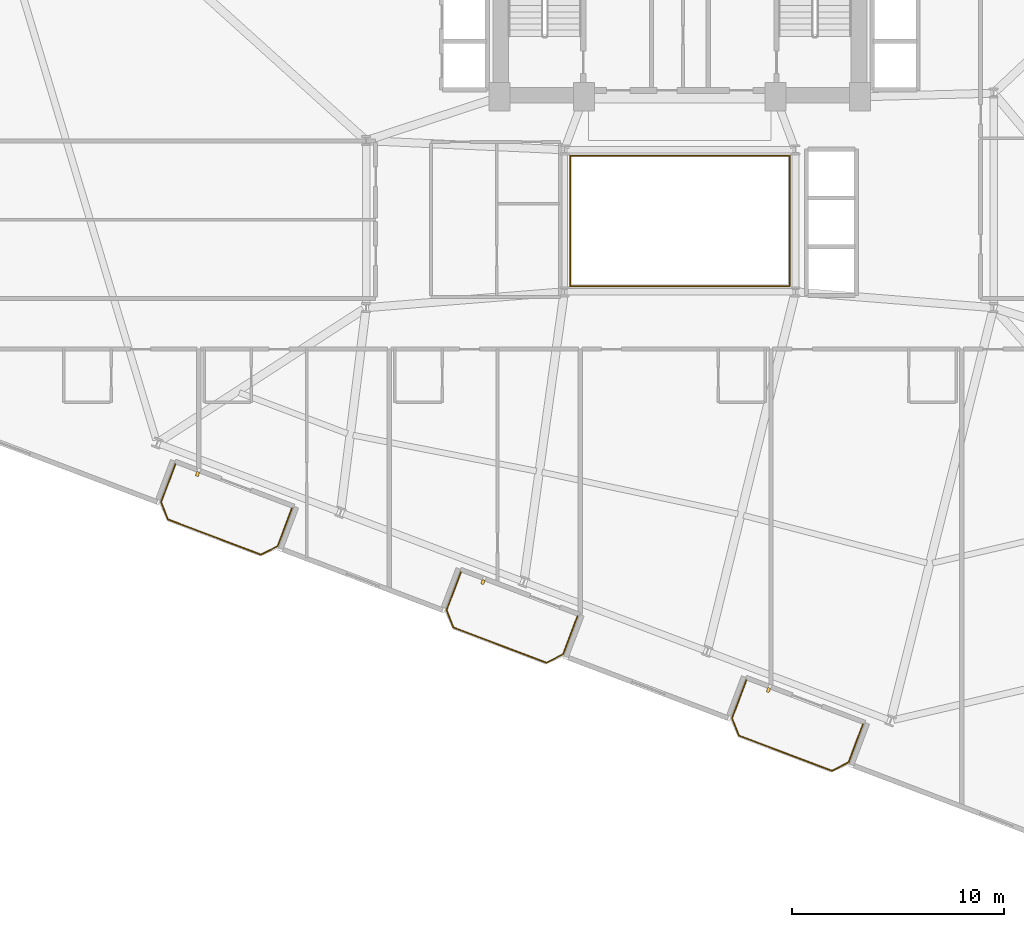
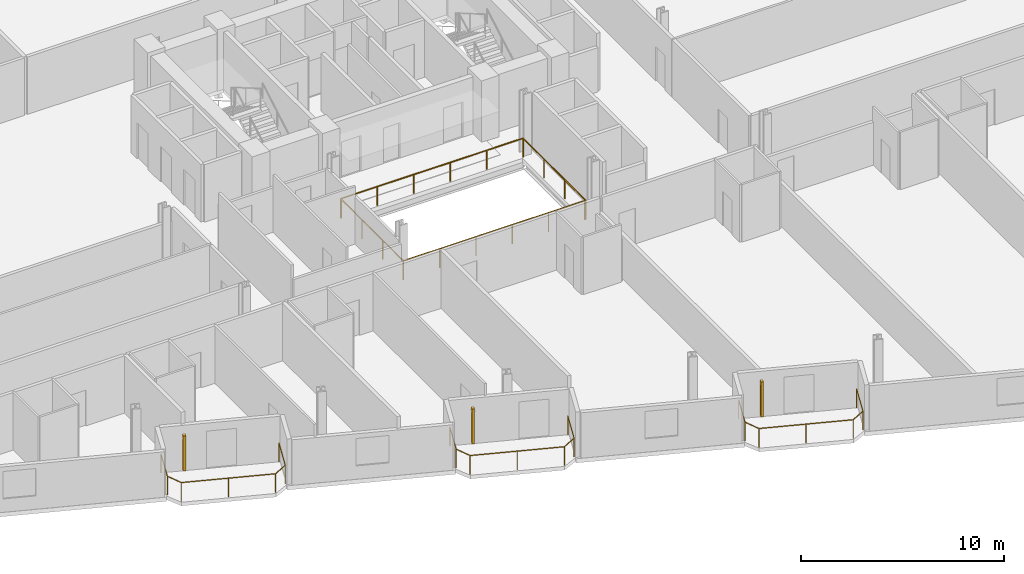
# One storey, part 23 of 25: 5 railings, 3 shading devices.
"""IFC4 building model written with IfcOpenShell, lengths in metres."""

from ifc_helpers import new_model, si_unit, direction, frame, origin, origin_2d, place, context, subcontext, project, spatial, rectangle, circle, extrude, source, transform, mapped, material, type_object, element, save


model = new_model("IFC4")

# Units and contexts
model_context = context("Model", 3, precision=1e-05, world=origin(), true_north=direction((0.0, 1.0)))
body_context = subcontext(model_context, "Body", "Model", "MODEL_VIEW")
ifc_project = project(units=[si_unit("LENGTHUNIT", "METRE"), si_unit("AREAUNIT", "SQUARE_METRE"), si_unit("VOLUMEUNIT", "CUBIC_METRE"), si_unit("PLANEANGLEUNIT", "RADIAN"), si_unit("MASSUNIT", "GRAM", prefix="KILO")], contexts=[model_context])

# Site, building, storey
site_placement = place(None, origin())
site = spatial("IfcSite", under=ifc_project, at=site_placement, CompositionType="ELEMENT")
building_placement = place(site_placement, origin())
building = spatial("IfcBuilding", under=site, at=building_placement, Name="Varnelok Gate Tower", CompositionType="ELEMENT")
storey_placement = place(building_placement, frame((0.0, 0.0, 76.199951171875)))
storey = spatial("IfcBuildingStorey", under=building, at=storey_placement, Name="L18", CompositionType="ELEMENT", Elevation=76.199951171875)

# Railings
ifc_material_1 = material(Name="Tempered Laminated Balustrade Glass", Category="glass")
railing_type_1 = type_object("IfcRailingType", Name="RL-ATR-GUARD1150", PredefinedType="GUARDRAIL", material=ifc_material_1)
railing_1_placement = place(storey_placement, frame((34.02001953125, 25.929931640625, 0.0)))
element("IfcRailing", 1, at=railing_1_placement, inside=storey, type_object=railing_type_1, Name="L18 Internal Atrium South-West Guardrail", PredefinedType="GUARDRAIL", context=body_context, shape_type="SweptSolid", body=[
    extrude(circle(Radius=0.02392578125, at=origin_2d()), frame((0.0, 0.0, 1.1259765625), z_axis=(0.0, -1.0, 0.0), x_axis=(1.0, 0.0, 0.0)), (0.0, 0.0, 1.0), 6.10986328125),
    extrude(circle(Radius=0.02392578125, at=origin_2d()), frame((0.0, -6.10986328125, 1.1259765625), z_axis=(1.0, 0.0, 0.0), x_axis=(0.0, 1.0, 0.0)), (0.0, 0.0, 1.0), 10.31005859375),
    extrude(circle(Radius=0.02099609375, at=origin_2d()), origin(), (0.0, 0.0, 1.0), 1.101806640625),
    extrude(circle(Radius=0.02099609375, at=origin_2d()), frame((0.0, -2.03662109375, 0.0)), (0.0, 0.0, 1.0), 1.101806640625),
    extrude(circle(Radius=0.02099609375, at=origin_2d()), frame((0.0, -4.0732421875, 0.0)), (0.0, 0.0, 1.0), 1.101806640625),
    extrude(circle(Radius=0.02099609375, at=origin_2d()), frame((0.0, -6.10986328125, 0.0)), (0.0, 0.0, 1.0), 1.101806640625),
    extrude(circle(Radius=0.02099609375, at=origin_2d()), frame((2.06201171875, -6.10986328125, 0.0)), (0.0, 0.0, 1.0), 1.101806640625),
    extrude(circle(Radius=0.02099609375, at=origin_2d()), frame((4.1240234375, -6.10986328125, 0.0)), (0.0, 0.0, 1.0), 1.101806640625),
    extrude(circle(Radius=0.02099609375, at=origin_2d()), frame((6.18603515625, -6.10986328125, 0.0)), (0.0, 0.0, 1.0), 1.101806640625),
    extrude(circle(Radius=0.02099609375, at=origin_2d()), frame((8.248046875, -6.10986328125, 0.0)), (0.0, 0.0, 1.0), 1.101806640625),
    extrude(circle(Radius=0.02099609375, at=origin_2d()), frame((10.31005859375, -6.10986328125, 0.0)), (0.0, 0.0, 1.0), 1.101806640625),
])
railing_2_placement = place(storey_placement, frame((44.3798828125, 19.820068359375, 0.0)))
element("IfcRailing", 2, at=railing_2_placement, inside=storey, type_object=railing_type_1, Name="L18 Internal Atrium North-East Guardrail", PredefinedType="GUARDRAIL", context=body_context, shape_type="SweptSolid", body=[
    extrude(circle(Radius=0.02392578125, at=origin_2d()), frame((0.0, 0.0, 1.1259765625), z_axis=(0.0, 1.0, 0.0), x_axis=(-1.0, 0.0, 0.0)), (0.0, 0.0, 1.0), 6.159912109375),
    extrude(circle(Radius=0.02392578125, at=origin_2d()), frame((0.0, 6.159912109375, 1.1259765625), z_axis=(-1.0, 0.0, 0.0), x_axis=(0.0, -1.0, 0.0)), (0.0, 0.0, 1.0), 10.35986328125),
    extrude(circle(Radius=0.02099609375, at=origin_2d()), origin(), (0.0, 0.0, 1.0), 1.101806640625),
    extrude(circle(Radius=0.02099609375, at=origin_2d()), frame((0.0, 2.05322265625, 0.0)), (0.0, 0.0, 1.0), 1.101806640625),
    extrude(circle(Radius=0.02099609375, at=origin_2d()), frame((0.0, 4.106689453125, 0.0)), (0.0, 0.0, 1.0), 1.101806640625),
    extrude(circle(Radius=0.02099609375, at=origin_2d()), frame((0.0, 6.159912109375, 0.0)), (0.0, 0.0, 1.0), 1.101806640625),
    extrude(circle(Radius=0.02099609375, at=origin_2d()), frame((-2.072021484375, 6.159912109375, 0.0)), (0.0, 0.0, 1.0), 1.101806640625),
    extrude(circle(Radius=0.02099609375, at=origin_2d()), frame((-4.14404296875, 6.159912109375, 0.0)), (0.0, 0.0, 1.0), 1.101806640625),
    extrude(circle(Radius=0.02099609375, at=origin_2d()), frame((-6.2158203125, 6.159912109375, 0.0)), (0.0, 0.0, 1.0), 1.101806640625),
    extrude(circle(Radius=0.02099609375, at=origin_2d()), frame((-8.287841796875, 6.159912109375, 0.0)), (0.0, 0.0, 1.0), 1.101806640625),
    extrude(circle(Radius=0.02099609375, at=origin_2d()), frame((-10.35986328125, 6.159912109375, 0.0)), (0.0, 0.0, 1.0), 1.101806640625),
])
ifc_material_2 = material(Name="Low-E Laminated Double Glazing IGU", Category="glass")
railing_type_2 = type_object("IfcRailingType", Name="RL-BALC-1150", PredefinedType="BALUSTRADE", material=ifc_material_2)
railing_3_placement = place(storey_placement, frame((15.40625, 11.42578125, 0.0)))
element("IfcRailing", 3, at=railing_3_placement, inside=storey, type_object=railing_type_2, Name="L18 South Terrace Balustrade 1", PredefinedType="BALUSTRADE", context=body_context, shape_type="SweptSolid", body=[
    extrude(circle(Radius=0.02392578125, at=origin_2d()), frame((0.0, 0.0, 1.1259765625), z_axis=(-0.354006333352, -0.935243025073, 0.0), x_axis=(0.935243025073, -0.354006333352, 0.0)), (0.0, 0.0, 1.0), 1.919921875),
    extrude(circle(Radius=0.02392578125, at=origin_2d()), frame((-0.6796875, -1.795654296875, 1.1259765625), z_axis=(0.366254584666, -0.930514685113, 0.0), x_axis=(0.930514685113, 0.366254584666, 0.0)), (0.0, 0.0, 1.0), 0.8779296875),
    extrude(circle(Radius=0.02392578125, at=origin_2d()), frame((-0.358154296875, -2.612548828125, 1.1259765625), z_axis=(0.935223045203, -0.354059113314, 0.0), x_axis=(0.354059113314, 0.935223045203, 0.0)), (0.0, 0.0, 1.0), 4.699951171875),
    extrude(circle(Radius=0.02392578125, at=origin_2d()), frame((4.037353515625, -4.276611328125, 1.1259765625), z_axis=(0.89078254773, 0.454429810487, 0.0), x_axis=(-0.454429810487, 0.89078254773, 0.0)), (0.0, 0.0, 1.0), 0.8779296875),
    extrude(circle(Radius=0.02392578125, at=origin_2d()), frame((4.8193359375, -3.877685546875, 1.1259765625), z_axis=(0.354117547856, 0.935200920819, 0.0), x_axis=(-0.935200920819, 0.354117547856, 0.0)), (0.0, 0.0, 1.0), 1.920166015625),
    extrude(circle(Radius=0.02099609375, at=origin_2d()), origin(), (0.0, 0.0, 1.0), 1.101806640625),
    extrude(circle(Radius=0.02099609375, at=origin_2d()), frame((-0.6796875, -1.795654296875, 0.0)), (0.0, 0.0, 1.0), 1.101806640625),
    extrude(circle(Radius=0.02099609375, at=origin_2d()), frame((-0.358154296875, -2.612548828125, 0.0)), (0.0, 0.0, 1.0), 1.101806640625),
    extrude(circle(Radius=0.02099609375, at=origin_2d()), frame((1.839599609375, -3.444580078125, 0.0)), (0.0, 0.0, 1.0), 1.101806640625),
    extrude(circle(Radius=0.02099609375, at=origin_2d()), frame((4.037353515625, -4.276611328125, 0.0)), (0.0, 0.0, 1.0), 1.101806640625),
    extrude(circle(Radius=0.02099609375, at=origin_2d()), frame((4.8193359375, -3.877685546875, 0.0)), (0.0, 0.0, 1.0), 1.101806640625),
    extrude(circle(Radius=0.02099609375, at=origin_2d()), frame((5.499267578125, -2.08203125, 0.0)), (0.0, 0.0, 1.0), 1.101806640625),
])
railing_4_placement = place(storey_placement, frame((28.87353515625, 6.3271484375, 0.0)))
element("IfcRailing", 4, at=railing_4_placement, inside=storey, type_object=railing_type_2, Name="L18 South Terrace Balustrade 2", PredefinedType="BALUSTRADE", context=body_context, shape_type="SweptSolid", body=[
    extrude(circle(Radius=0.02392578125, at=origin_2d()), frame((0.0, 0.0, 1.1259765625), z_axis=(-0.354117547856, -0.935200920819, 0.0), x_axis=(0.935200920819, -0.354117547856, 0.0)), (0.0, 0.0, 1.0), 1.920166015625),
    extrude(circle(Radius=0.02392578125, at=origin_2d()), frame((-0.679931640625, -1.795654296875, 1.1259765625), z_axis=(0.36659018357, -0.930382522036, 0.0), x_axis=(0.930382522036, 0.36659018357, 0.0)), (0.0, 0.0, 1.0), 0.877685546875),
    extrude(circle(Radius=0.02392578125, at=origin_2d()), frame((-0.358154296875, -2.6123046875, 1.1259765625), z_axis=(0.935223045203, -0.354059113314, 0.0), x_axis=(0.354059113314, 0.935223045203, 0.0)), (0.0, 0.0, 1.0), 4.699951171875),
    extrude(circle(Radius=0.02392578125, at=origin_2d()), frame((4.037353515625, -4.2763671875, 1.1259765625), z_axis=(0.89078254773, 0.454429810487, 0.0), x_axis=(-0.454429810487, 0.89078254773, 0.0)), (0.0, 0.0, 1.0), 0.8779296875),
    extrude(circle(Radius=0.02392578125, at=origin_2d()), frame((4.8193359375, -3.87744140625, 1.1259765625), z_axis=(0.354006333352, 0.935243025073, 0.0), x_axis=(-0.935243025073, 0.354006333352, 0.0)), (0.0, 0.0, 1.0), 1.919921875),
    extrude(circle(Radius=0.02099609375, at=origin_2d()), origin(), (0.0, 0.0, 1.0), 1.101806640625),
    extrude(circle(Radius=0.02099609375, at=origin_2d()), frame((-0.679931640625, -1.795654296875, 0.0)), (0.0, 0.0, 1.0), 1.101806640625),
    extrude(circle(Radius=0.02099609375, at=origin_2d()), frame((-0.358154296875, -2.6123046875, 0.0)), (0.0, 0.0, 1.0), 1.101806640625),
    extrude(circle(Radius=0.02099609375, at=origin_2d()), frame((1.839599609375, -3.4443359375, 0.0)), (0.0, 0.0, 1.0), 1.101806640625),
    extrude(circle(Radius=0.02099609375, at=origin_2d()), frame((4.037353515625, -4.2763671875, 0.0)), (0.0, 0.0, 1.0), 1.101806640625),
    extrude(circle(Radius=0.02099609375, at=origin_2d()), frame((4.8193359375, -3.87744140625, 0.0)), (0.0, 0.0, 1.0), 1.101806640625),
    extrude(circle(Radius=0.02099609375, at=origin_2d()), frame((5.4990234375, -2.081787109375, 0.0)), (0.0, 0.0, 1.0), 1.101806640625),
])
railing_5_placement = place(storey_placement, frame((42.3408203125, 1.228759765625, 0.0)))
element("IfcRailing", 5, at=railing_5_placement, inside=storey, type_object=railing_type_2, Name="L18 South Terrace Balustrade 3", PredefinedType="BALUSTRADE", context=body_context, shape_type="SweptSolid", body=[
    extrude(circle(Radius=0.02392578125, at=origin_2d()), frame((0.0, 0.0, 1.1259765625), z_axis=(-0.354117547856, -0.935200920819, 0.0), x_axis=(0.935200920819, -0.354117547856, 0.0)), (0.0, 0.0, 1.0), 1.920166015625),
    extrude(circle(Radius=0.02392578125, at=origin_2d()), frame((-0.679931640625, -1.795654296875, 1.1259765625), z_axis=(0.366254584666, -0.930514685113, 0.0), x_axis=(0.930514685113, 0.366254584666, 0.0)), (0.0, 0.0, 1.0), 0.8779296875),
    extrude(circle(Radius=0.02392578125, at=origin_2d()), frame((-0.3583984375, -2.612548828125, 1.1259765625), z_axis=(0.935229556479, -0.354041913744, 0.0), x_axis=(0.354041913744, 0.935229556479, 0.0)), (0.0, 0.0, 1.0), 4.7001953125),
    extrude(circle(Radius=0.02392578125, at=origin_2d()), frame((4.037353515625, -4.276611328125, 1.1259765625), z_axis=(0.890612455555, 0.454763074589, 0.0), x_axis=(-0.454763074589, 0.890612455555, 0.0)), (0.0, 0.0, 1.0), 0.877685546875),
    extrude(circle(Radius=0.02392578125, at=origin_2d()), frame((4.819091796875, -3.87744140625, 1.1259765625), z_axis=(0.354159661475, 0.935184973245, 0.0), x_axis=(-0.935184973245, 0.354159661475, 0.0)), (0.0, 0.0, 1.0), 1.919921875),
    extrude(circle(Radius=0.02099609375, at=origin_2d()), origin(), (0.0, 0.0, 1.0), 1.101806640625),
    extrude(circle(Radius=0.02099609375, at=origin_2d()), frame((-0.679931640625, -1.795654296875, 0.0)), (0.0, 0.0, 1.0), 1.101806640625),
    extrude(circle(Radius=0.02099609375, at=origin_2d()), frame((-0.3583984375, -2.612548828125, 0.0)), (0.0, 0.0, 1.0), 1.101806640625),
    extrude(circle(Radius=0.02099609375, at=origin_2d()), frame((1.83935546875, -3.444580078125, 0.0)), (0.0, 0.0, 1.0), 1.101806640625),
    extrude(circle(Radius=0.02099609375, at=origin_2d()), frame((4.037353515625, -4.276611328125, 0.0)), (0.0, 0.0, 1.0), 1.101806640625),
    extrude(circle(Radius=0.02099609375, at=origin_2d()), frame((4.819091796875, -3.87744140625, 0.0)), (0.0, 0.0, 1.0), 1.101806640625),
    extrude(circle(Radius=0.02099609375, at=origin_2d()), frame((5.4990234375, -2.08203125, 0.0)), (0.0, 0.0, 1.0), 1.101806640625),
])

# Shading devices
ifc_material_3 = material(Name="Glazed Architectural Terracotta Ceramic", Category="masonry")
shading_device_type = type_object("IfcShadingDeviceType", Name="SHD-TERRA-BAGUETTE", PredefinedType="USERDEFINED", material=ifc_material_3)
shared_shape = source(origin(), body_context, "Body", "SweptSolid", [
    extrude(rectangle(XDim=0.139892578125, YDim=0.219970703125, at=origin_2d()), origin(), (0.0, 0.0, 1.0), 2.10009765625),
])
for number, where, z_axis, x_axis, name in (
    (6, (16.44775390625, 10.95654296875, 0.10009765625), (0.0, 0.0, 1.0), (0.935221751401, -0.354062530786, 0.0), "L18 Terracotta Ceramic Baguette Sunscreen 1.1"),
    (7, (29.914794921875, 5.858154296875, 0.10009765625), (0.0, 0.0, 1.0), (0.935221751401, -0.354062530786, 0.0), "L18 Terracotta Ceramic Baguette Sunscreen 2.1"),
    (8, (43.382080078125, 0.759521484375, 0.10009765625), (0.0, 0.0, 1.0), (0.935221751401, -0.354062530786, 0.0), "L18 Terracotta Ceramic Baguette Sunscreen 3.1"),
):
    element("IfcShadingDevice", number, at=place(storey_placement, frame(where, z_axis=z_axis, x_axis=x_axis)), inside=storey, type_object=shading_device_type, Name=name, ObjectType="BAGUETTE", PredefinedType="USERDEFINED", context=body_context, shape_type="MappedRepresentation", body=[
        mapped(shared_shape, transform((0.0, 0.0, 0.0), scale=1.0)),
    ])

save(model, "model.ifc")
